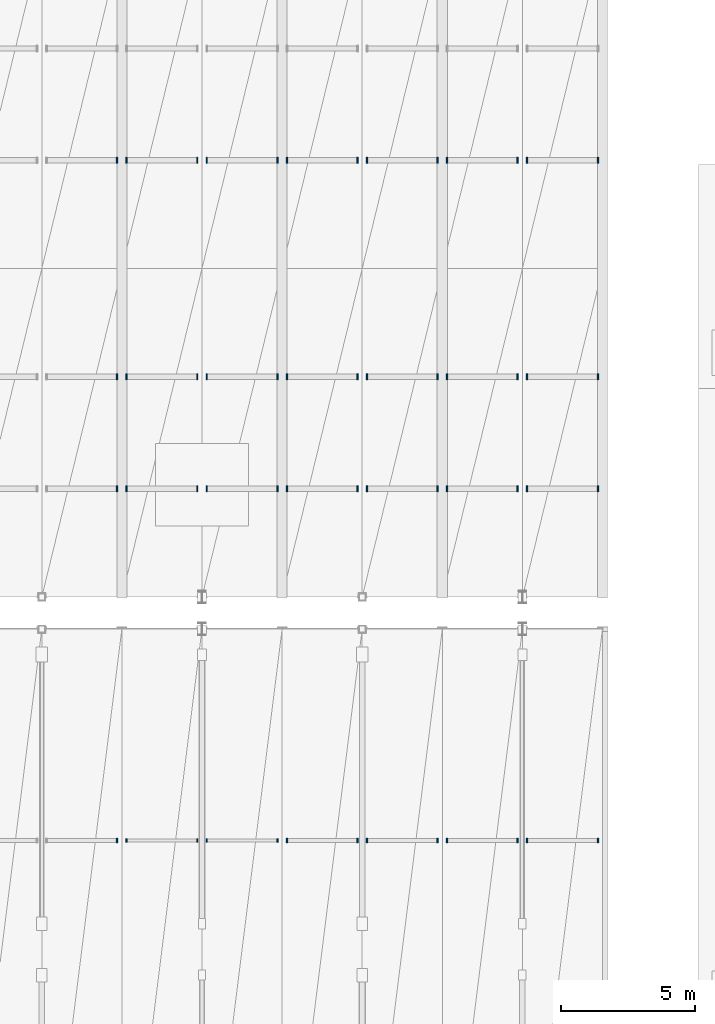
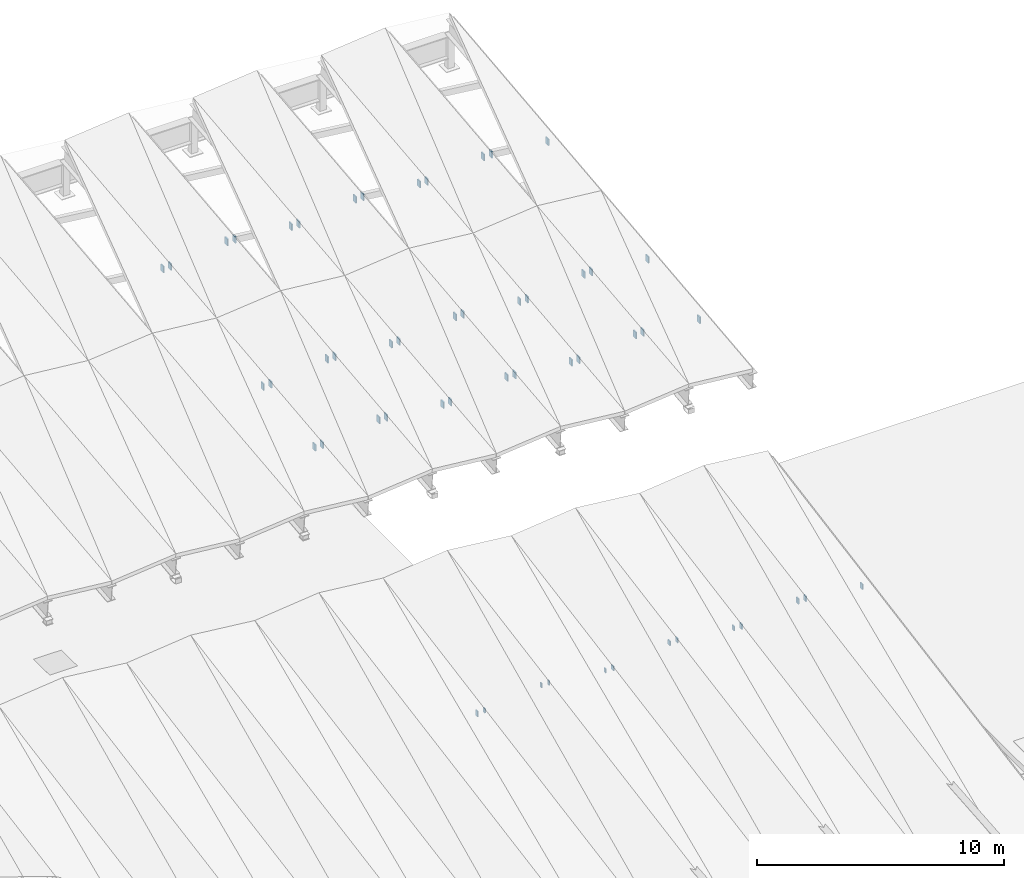
# One storey, part 49 of 52: 52 discrete accessories.
"""IFC4 building model written with IfcOpenShell, lengths in metres."""

from ifc_helpers import new_model, si_unit, direction, frame, origin, origin_2d, place, context, subcontext, project, spatial, rectangle, extrude, material, layer, layer_set, type_object, element, save


model = new_model("IFC4")

# Units and contexts
model_context = context("Model", 3, precision=1e-05, world=origin(), true_north=direction((0.0, 1.0)))
body_context = subcontext(model_context, "Body", "Model", "MODEL_VIEW")
ifc_project = project(units=[si_unit("LENGTHUNIT", "METRE"), si_unit("AREAUNIT", "SQUARE_METRE"), si_unit("VOLUMEUNIT", "CUBIC_METRE"), si_unit("PLANEANGLEUNIT", "RADIAN"), si_unit("MASSUNIT", "GRAM", prefix="KILO")], contexts=[model_context])

# Site, building, storey
site_placement = place(None, origin())
site = spatial("IfcSite", under=ifc_project, at=site_placement, CompositionType="ELEMENT")
building_placement = place(site_placement, origin())
building = spatial("IfcBuilding", under=site, at=building_placement, Name="Vaelkrest Opera House", CompositionType="ELEMENT")
storey_placement = place(building_placement, frame((0.0, 0.0, 41.39990234375)))
storey = spatial("IfcBuildingStorey", under=building, at=storey_placement, Name="ROOF", CompositionType="ELEMENT", Elevation=41.39990234375)

# Discrete accessories
ifc_material = material(Name="Steel A572 Gr50", Category="steel")
ifc_layer = layer(ifc_material, 0.320068359375)
ifc_layer_set = layer_set([ifc_layer], Name="Steel A572 Gr50")
discrete_accessory_type = type_object("IfcDiscreteAccessoryType", Name="ECP01", PredefinedType="USERDEFINED", material=ifc_layer_set)
discrete_accessory_placement = place(storey_placement, frame((11.822509765625, 8.280029296875, -5.281982421875), z_axis=(0.0, 0.0, 1.0), x_axis=(1.0, 0.0, 0.0)))
element("IfcDiscreteAccessory", 1, at=discrete_accessory_placement, inside=storey, type_object=discrete_accessory_type, Name="Purlin HSS end cap plate V1-07-S3-67-E1", ObjectType="CAP PLATE", PredefinedType="USERDEFINED", context=body_context, shape_type="SweptSolid", body=[
    extrude(rectangle(XDim=0.054931640625, YDim=0.176025390625, at=origin_2d()), origin(), (0.0, 0.0, 1.0), 0.27001953125),
])
for number, where, z_axis, x_axis, name in (
    (2, (12.177490234375, 8.280029296875, -5.2314453125), (0.0, 0.0, 1.0), (1.0, 0.0, 0.0), "Purlin HSS end cap plate V1-08-S3-67-W0"),
    (3, (14.822509765625, 8.280029296875, -4.9072265625), (0.0, 0.0, 1.0), (1.0, 0.0, 0.0), "Purlin HSS end cap plate V1-08-S3-67-W1"),
    (4, (15.177490234375, 8.280029296875, -4.9072265625), (0.0, 0.0, 1.0), (1.0, 0.0, 0.0), "Purlin HSS end cap plate V1-08-S3-67-E0"),
    (5, (17.822509765625, 8.280029296875, -5.2314453125), (0.0, 0.0, 1.0), (1.0, 0.0, 0.0), "Purlin HSS end cap plate V1-08-S3-67-E1"),
):
    element("IfcDiscreteAccessory", number, at=place(storey_placement, frame(where, z_axis=z_axis, x_axis=x_axis)), inside=storey, type_object=discrete_accessory_type, Name=name, ObjectType="CAP PLATE", PredefinedType="USERDEFINED", context=body_context, shape_type="SweptSolid", body=[
        extrude(rectangle(XDim=0.054931640625, YDim=0.1259765625, at=origin_2d()), origin(), (0.0, 0.0, 1.0), 0.218994140625),
    ])
for number, where, z_axis, x_axis, name in (
    (6, (18.177490234375, 8.280029296875, -5.2314453125), (0.0, 0.0, 1.0), (1.0, 0.0, 0.0), "Purlin HSS end cap plate V1-09-S3-67-W0"),
    (7, (20.822509765625, 8.280029296875, -4.9072265625), (0.0, 0.0, 1.0), (1.0, 0.0, 0.0), "Purlin HSS end cap plate V1-09-S3-67-W1"),
    (8, (21.177490234375, 8.280029296875, -4.9072265625), (0.0, 0.0, 1.0), (1.0, 0.0, 0.0), "Purlin HSS end cap plate V1-09-S3-67-E0"),
    (9, (23.822509765625, 8.280029296875, -5.2314453125), (0.0, 0.0, 1.0), (1.0, 0.0, 0.0), "Purlin HSS end cap plate V1-09-S3-67-E1"),
):
    element("IfcDiscreteAccessory", number, at=place(storey_placement, frame(where, z_axis=z_axis, x_axis=x_axis)), inside=storey, type_object=discrete_accessory_type, Name=name, ObjectType="CAP PLATE", PredefinedType="USERDEFINED", context=body_context, shape_type="SweptSolid", body=[
        extrude(rectangle(XDim=0.054931640625, YDim=0.176025390625, at=origin_2d()), origin(), (0.0, 0.0, 1.0), 0.218994140625),
    ])
for number, where, z_axis, x_axis, name in (
    (10, (24.177490234375, 8.280029296875, -5.281982421875), (0.0, 0.0, 1.0), (1.0, 0.0, 0.0), "Purlin HSS end cap plate V1-10-S3-67-W0"),
    (11, (26.822509765625, 8.280029296875, -4.9580078125), (0.0, 0.0, 1.0), (1.0, 0.0, 0.0), "Purlin HSS end cap plate V1-10-S3-67-W1"),
    (12, (27.177490234375, 8.280029296875, -4.9580078125), (0.0, 0.0, 1.0), (1.0, 0.0, 0.0), "Purlin HSS end cap plate V1-10-S3-67-E0"),
    (13, (29.822509765625, 8.280029296875, -5.281982421875), (0.0, 0.0, 1.0), (1.0, 0.0, 0.0), "Purlin HSS end cap plate V1-10-S3-67-E1"),
):
    element("IfcDiscreteAccessory", number, at=place(storey_placement, frame(where, z_axis=z_axis, x_axis=x_axis)), inside=storey, type_object=discrete_accessory_type, Name=name, ObjectType="CAP PLATE", PredefinedType="USERDEFINED", context=body_context, shape_type="SweptSolid", body=[
        extrude(rectangle(XDim=0.054931640625, YDim=0.176025390625, at=origin_2d()), origin(), (0.0, 0.0, 1.0), 0.27001953125),
    ])
for number, where, z_axis, x_axis, name in (
    (14, (11.822509765625, 21.458984375, -0.109375), (0.0, 0.0, 1.0), (1.0, 0.0, 0.0), "Purlin HSS end cap plate V2-05-S1-33-E1"),
    (15, (11.822509765625, 25.64111328125, 0.3486328125), (0.0, 0.0, 1.0), (1.0, 0.0, 0.0), "Purlin HSS end cap plate V2-05-S1-67-E1"),
    (16, (11.822509765625, 33.759033203125, 1.24072265625), (0.0, 0.0, 1.0), (1.0, 0.0, 0.0), "Purlin HSS end cap plate V2-05-S2-33-E1"),
    (17, (12.177490234375, 21.458984375, -0.109375), (0.0, 0.0, 1.0), (1.0, 0.0, 0.0), "Purlin HSS end cap plate V2-06-S1-33-W0"),
    (18, (14.822509765625, 21.458984375, 0.189453125), (0.0, 0.0, 1.0), (1.0, 0.0, 0.0), "Purlin HSS end cap plate V2-06-S1-33-W1"),
    (19, (15.177490234375, 21.458984375, 0.189453125), (0.0, 0.0, 1.0), (1.0, 0.0, 0.0), "Purlin HSS end cap plate V2-06-S1-33-E0"),
    (20, (17.822509765625, 21.458984375, -0.109375), (0.0, 0.0, 1.0), (1.0, 0.0, 0.0), "Purlin HSS end cap plate V2-06-S1-33-E1"),
    (21, (12.177490234375, 25.64111328125, 0.3486328125), (0.0, 0.0, 1.0), (1.0, 0.0, 0.0), "Purlin HSS end cap plate V2-06-S1-67-W0"),
    (22, (14.822509765625, 25.64111328125, 0.6484375), (0.0, 0.0, 1.0), (1.0, 0.0, 0.0), "Purlin HSS end cap plate V2-06-S1-67-W1"),
    (23, (15.177490234375, 25.64111328125, 0.6484375), (0.0, 0.0, 1.0), (1.0, 0.0, 0.0), "Purlin HSS end cap plate V2-06-S1-67-E0"),
    (24, (17.822509765625, 25.64111328125, 0.3486328125), (0.0, 0.0, 1.0), (1.0, 0.0, 0.0), "Purlin HSS end cap plate V2-06-S1-67-E1"),
    (25, (12.177490234375, 33.759033203125, 1.24072265625), (0.0, 0.0, 1.0), (1.0, 0.0, 0.0), "Purlin HSS end cap plate V2-06-S2-33-W0"),
    (26, (14.822509765625, 33.759033203125, 1.53955078125), (0.0, 0.0, 1.0), (1.0, 0.0, 0.0), "Purlin HSS end cap plate V2-06-S2-33-W1"),
    (27, (15.177490234375, 33.759033203125, 1.53955078125), (0.0, 0.0, 1.0), (1.0, 0.0, 0.0), "Purlin HSS end cap plate V2-06-S2-33-E0"),
    (28, (17.822509765625, 33.759033203125, 1.24072265625), (0.0, 0.0, 1.0), (1.0, 0.0, 0.0), "Purlin HSS end cap plate V2-06-S2-33-E1"),
    (29, (18.177490234375, 21.458984375, -0.109375), (0.0, 0.0, 1.0), (1.0, 0.0, 0.0), "Purlin HSS end cap plate V2-07-S1-33-W0"),
    (30, (20.822509765625, 21.458984375, 0.189453125), (0.0, 0.0, 1.0), (1.0, 0.0, 0.0), "Purlin HSS end cap plate V2-07-S1-33-W1"),
    (31, (21.177490234375, 21.458984375, 0.189453125), (0.0, 0.0, 1.0), (1.0, 0.0, 0.0), "Purlin HSS end cap plate V2-07-S1-33-E0"),
    (32, (23.822509765625, 21.458984375, -0.109375), (0.0, 0.0, 1.0), (1.0, 0.0, 0.0), "Purlin HSS end cap plate V2-07-S1-33-E1"),
    (33, (18.177490234375, 25.64111328125, 0.3486328125), (0.0, 0.0, 1.0), (1.0, 0.0, 0.0), "Purlin HSS end cap plate V2-07-S1-67-W0"),
    (34, (20.822509765625, 25.64111328125, 0.6484375), (0.0, 0.0, 1.0), (1.0, 0.0, 0.0), "Purlin HSS end cap plate V2-07-S1-67-W1"),
    (35, (21.177490234375, 25.64111328125, 0.6484375), (0.0, 0.0, 1.0), (1.0, 0.0, 0.0), "Purlin HSS end cap plate V2-07-S1-67-E0"),
    (36, (23.822509765625, 25.64111328125, 0.3486328125), (0.0, 0.0, 1.0), (1.0, 0.0, 0.0), "Purlin HSS end cap plate V2-07-S1-67-E1"),
    (37, (18.177490234375, 33.759033203125, 1.24072265625), (0.0, 0.0, 1.0), (1.0, 0.0, 0.0), "Purlin HSS end cap plate V2-07-S2-33-W0"),
    (38, (20.822509765625, 33.759033203125, 1.53955078125), (0.0, 0.0, 1.0), (1.0, 0.0, 0.0), "Purlin HSS end cap plate V2-07-S2-33-W1"),
    (39, (21.177490234375, 33.759033203125, 1.53955078125), (0.0, 0.0, 1.0), (1.0, 0.0, 0.0), "Purlin HSS end cap plate V2-07-S2-33-E0"),
    (40, (23.822509765625, 33.759033203125, 1.24072265625), (0.0, 0.0, 1.0), (1.0, 0.0, 0.0), "Purlin HSS end cap plate V2-07-S2-33-E1"),
    (41, (24.177490234375, 21.458984375, -0.109375), (0.0, 0.0, 1.0), (1.0, 0.0, 0.0), "Purlin HSS end cap plate V2-08-S1-33-W0"),
    (42, (26.822509765625, 21.458984375, 0.189453125), (0.0, 0.0, 1.0), (1.0, 0.0, 0.0), "Purlin HSS end cap plate V2-08-S1-33-W1"),
    (43, (27.177490234375, 21.458984375, 0.189453125), (0.0, 0.0, 1.0), (1.0, 0.0, 0.0), "Purlin HSS end cap plate V2-08-S1-33-E0"),
    (44, (29.822509765625, 21.458984375, -0.109375), (0.0, 0.0, 1.0), (1.0, 0.0, 0.0), "Purlin HSS end cap plate V2-08-S1-33-E1"),
    (45, (24.177490234375, 25.64111328125, 0.3486328125), (0.0, 0.0, 1.0), (1.0, 0.0, 0.0), "Purlin HSS end cap plate V2-08-S1-67-W0"),
    (46, (26.822509765625, 25.64111328125, 0.6484375), (0.0, 0.0, 1.0), (1.0, 0.0, 0.0), "Purlin HSS end cap plate V2-08-S1-67-W1"),
    (47, (27.177490234375, 25.64111328125, 0.6484375), (0.0, 0.0, 1.0), (1.0, 0.0, 0.0), "Purlin HSS end cap plate V2-08-S1-67-E0"),
    (48, (29.822509765625, 25.64111328125, 0.3486328125), (0.0, 0.0, 1.0), (1.0, 0.0, 0.0), "Purlin HSS end cap plate V2-08-S1-67-E1"),
    (49, (24.177490234375, 33.759033203125, 1.24072265625), (0.0, 0.0, 1.0), (1.0, 0.0, 0.0), "Purlin HSS end cap plate V2-08-S2-33-W0"),
    (50, (26.822509765625, 33.759033203125, 1.53955078125), (0.0, 0.0, 1.0), (1.0, 0.0, 0.0), "Purlin HSS end cap plate V2-08-S2-33-W1"),
    (51, (27.177490234375, 33.759033203125, 1.53955078125), (0.0, 0.0, 1.0), (1.0, 0.0, 0.0), "Purlin HSS end cap plate V2-08-S2-33-E0"),
    (52, (29.822509765625, 33.759033203125, 1.24072265625), (0.0, 0.0, 1.0), (1.0, 0.0, 0.0), "Purlin HSS end cap plate V2-08-S2-33-E1"),
):
    element("IfcDiscreteAccessory", number, at=place(storey_placement, frame(where, z_axis=z_axis, x_axis=x_axis)), inside=storey, type_object=discrete_accessory_type, Name=name, ObjectType="CAP PLATE", PredefinedType="USERDEFINED", context=body_context, shape_type="SweptSolid", body=[
        extrude(rectangle(XDim=0.054931640625, YDim=0.22705078125, at=origin_2d()), origin(), (0.0, 0.0, 1.0), 0.321044921875),
    ])

save(model, "model.ifc")
